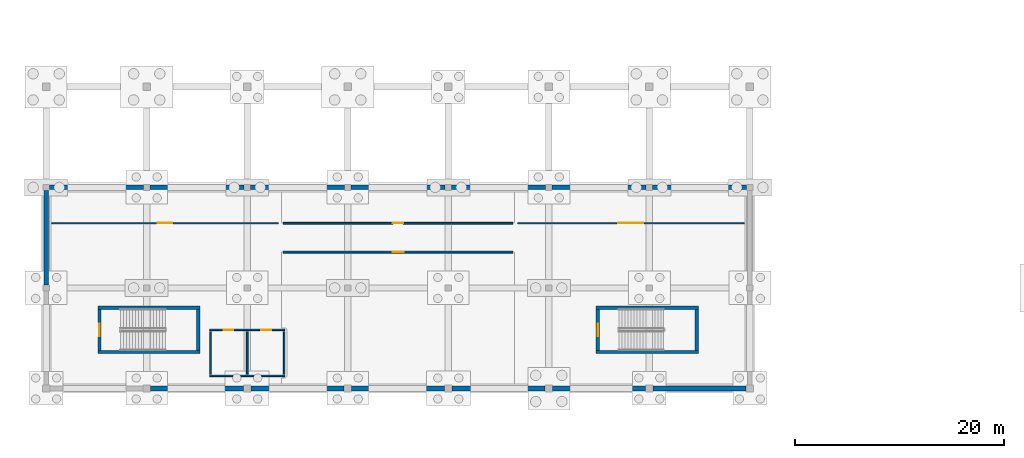
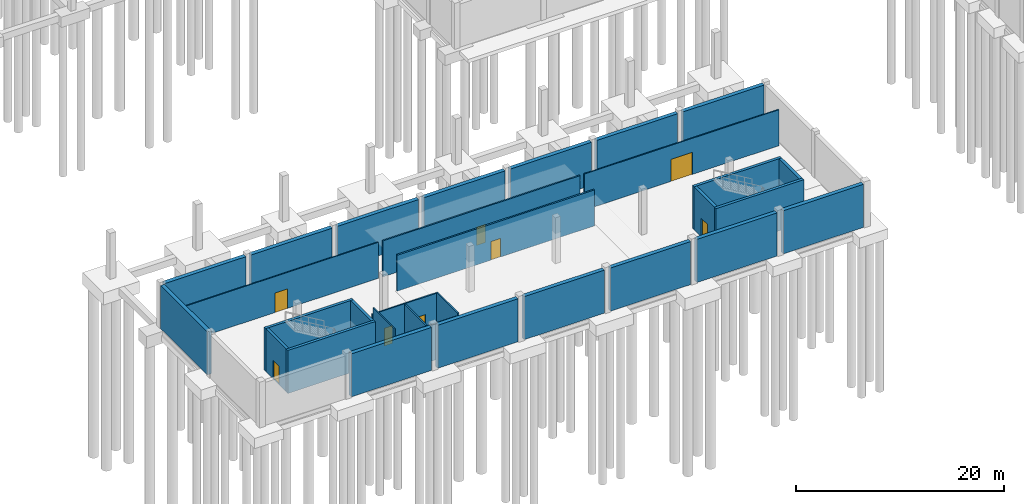
# One storey, part 22 of 41: 31 walls, 8 doors, 8 openings.
"""IFC4 building model written with IfcOpenShell, lengths in metres."""

from ifc_helpers import new_model, si_unit, direction, frame, frame_2d, origin, place, context, subcontext, project, spatial, rectangle, extrude, material, layer, layer_set, type_object, element, fill, save


model = new_model("IFC4")

# Units and contexts
model_context = context("Model", 3, precision=1e-05, world=origin(), true_north=direction((0.0, 1.0)))
body_context = subcontext(model_context, "Body", "Model", "MODEL_VIEW")
ifc_project = project(units=[si_unit("LENGTHUNIT", "METRE"), si_unit("AREAUNIT", "SQUARE_METRE"), si_unit("VOLUMEUNIT", "CUBIC_METRE"), si_unit("PLANEANGLEUNIT", "RADIAN"), si_unit("MASSUNIT", "GRAM", prefix="KILO")], contexts=[model_context])

# Site, building, storey
site_placement = place(None, origin())
site = spatial("IfcSite", under=ifc_project, at=site_placement, CompositionType="ELEMENT")
building_placement = place(site_placement, origin())
building = spatial("IfcBuilding", under=site, at=building_placement, Name="Shalvenor Court Art Gallery", CompositionType="ELEMENT")
storey_placement = place(building_placement, frame((0.0, 0.0, -5.39990234375)))
storey = spatial("IfcBuildingStorey", under=building, at=storey_placement, Name="B01", CompositionType="ELEMENT", Elevation=-5.39990234375)

# Walls
ifc_material_1 = material(Name="Concrete C40/50", Category="concrete")
ifc_layer_1 = layer(ifc_material_1, 0.31005859375, Name="Concrete C40/50")
ifc_layer_set_1 = layer_set([ifc_layer_1], Name="Concrete C40/50")
wall_type_1 = type_object("IfcWallType", Name="CW-W2", PredefinedType="SHEAR", material=ifc_layer_set_1)
wall_1_placement = place(storey_placement, frame((4.927978515625, 7.717041015625, 0.0), z_axis=(0.0, 0.0, 1.0), x_axis=(1.0, 0.0, 0.0)))
element("IfcWall", 1, at=wall_1_placement, inside=storey, type_object=wall_type_1, Name="B01 C7 Stair Core Shear Wall N", PredefinedType="SHEAR", context=body_context, shape_type="SweptSolid", body=[
    extrude(rectangle(XDim=9.744140625, YDim=0.31005859375, at=frame_2d((4.8720703125, 0.0))), origin(), (0.0, 0.0, 1.0), 5.059814453125),
])
wall_2_placement = place(storey_placement, frame((14.51708984375, 7.56201171875, 0.0), z_axis=(0.0, 0.0, 1.0), x_axis=(0.0, -1.0, 0.0)))
element("IfcWall", 2, at=wall_2_placement, inside=storey, type_object=wall_type_1, Name="B01 C7 Stair Core Shear Wall E", PredefinedType="SHEAR", context=body_context, shape_type="SweptSolid", body=[
    extrude(rectangle(XDim=3.924072265625, YDim=0.31005859375, at=frame_2d((1.9619140625, 0.0))), origin(), (0.0, 0.0, 1.0), 5.059814453125),
])
wall_3_placement = place(storey_placement, frame((14.672119140625, 3.48291015625, 0.0), z_axis=(0.0, 0.0, 1.0), x_axis=(-1.0, 0.0, 0.0)))
element("IfcWall", 3, at=wall_3_placement, inside=storey, type_object=wall_type_1, Name="B01 C7 Stair Core Shear Wall S", PredefinedType="SHEAR", context=body_context, shape_type="SweptSolid", body=[
    extrude(rectangle(XDim=9.744140625, YDim=0.31005859375, at=frame_2d((4.8720703125, 0.0))), origin(), (0.0, 0.0, 1.0), 5.059814453125),
])

# Wall, opening, door
wall_4_placement = place(storey_placement, frame((5.0830078125, 3.637939453125, 0.0), z_axis=(0.0, 0.0, 1.0), x_axis=(0.0, 1.0, 0.0)))
wall_4 = element("IfcWall", 4, at=wall_4_placement, inside=storey, type_object=wall_type_1, Name="B01 C7 Stair Core Shear Wall W", PredefinedType="SHEAR", context=body_context, shape_type="SweptSolid", body=[
    extrude(rectangle(XDim=3.924072265625, YDim=0.31005859375, at=frame_2d((1.9619140625, 0.0))), origin(), (0.0, 0.0, 1.0), 5.059814453125),
])
opening_1_placement = place(wall_4_placement, frame((1.362060546875, 0.0, 0.0)))
opening_1 = element("IfcOpeningElement", 5, at=opening_1_placement, cuts=wall_4, Name="Opening FD-01", PredefinedType="OPENING", context=body_context, shape_type="SweptSolid", body=[
    extrude(rectangle(XDim=1.199951171875, YDim=2.199951171875, at=frame_2d((0.60009765625, 1.10009765625))), frame((0.0, 0.1650390625, 0.0), z_axis=(0.0, -1.0, 0.0), x_axis=(1.0, 0.0, 0.0)), (0.0, 0.0, 1.0), 0.330078125),
])
ifc_material_2 = material(Name="Fire-rated steel stair doorset", Category="steel")
door_type_1 = type_object("IfcDoorType", Name="FD-01", OperationType="NOTDEFINED", PredefinedType="DOOR", material=ifc_material_2)
door_1_placement = place(opening_1_placement, origin())
door_1 = element("IfcDoor", 6, at=door_1_placement, inside=storey, type_object=door_type_1, Name="DR-ST-B01-C7 B01 ST-07 Fire Stair Door", OperationType="SINGLE_SWING_RIGHT", OverallHeight=2.199951171875, OverallWidth=1.199951171875, PredefinedType="DOOR", context=body_context, shape_type="SweptSolid", body=[
    extrude(rectangle(XDim=1.199951171875, YDim=2.199951171875, at=frame_2d((0.60009765625, 1.10009765625))), frame((0.0, 0.02490234375, 0.0), z_axis=(0.0, -1.0, 0.0), x_axis=(1.0, 0.0, 0.0)), (0.0, 0.0, 1.0), 0.050048828125),
])
fill(opening_1, door_1)

# Walls
wall_5_placement = place(storey_placement, frame((52.528076171875, 7.717041015625, 0.0), z_axis=(0.0, 0.0, 1.0), x_axis=(1.0, 0.0, 0.0)))
element("IfcWall", 7, at=wall_5_placement, inside=storey, type_object=wall_type_1, Name="B01 C8 Stair Core Shear Wall N", PredefinedType="SHEAR", context=body_context, shape_type="SweptSolid", body=[
    extrude(rectangle(XDim=9.743896484375, YDim=0.31005859375, at=frame_2d((4.8720703125, 0.0))), origin(), (0.0, 0.0, 1.0), 5.059814453125),
])
wall_6_placement = place(storey_placement, frame((62.116943359375, 7.56201171875, 0.0), z_axis=(0.0, 0.0, 1.0), x_axis=(0.0, -1.0, 0.0)))
element("IfcWall", 8, at=wall_6_placement, inside=storey, type_object=wall_type_1, Name="B01 C8 Stair Core Shear Wall E", PredefinedType="SHEAR", context=body_context, shape_type="SweptSolid", body=[
    extrude(rectangle(XDim=3.924072265625, YDim=0.31005859375, at=frame_2d((1.9619140625, 0.0))), origin(), (0.0, 0.0, 1.0), 5.059814453125),
])
wall_7_placement = place(storey_placement, frame((62.27197265625, 3.48291015625, 0.0), z_axis=(0.0, 0.0, 1.0), x_axis=(-1.0, 0.0, 0.0)))
element("IfcWall", 9, at=wall_7_placement, inside=storey, type_object=wall_type_1, Name="B01 C8 Stair Core Shear Wall S", PredefinedType="SHEAR", context=body_context, shape_type="SweptSolid", body=[
    extrude(rectangle(XDim=9.743896484375, YDim=0.31005859375, at=frame_2d((4.8720703125, 0.0))), origin(), (0.0, 0.0, 1.0), 5.059814453125),
])

# Wall, opening, door
wall_8_placement = place(storey_placement, frame((52.68310546875, 3.637939453125, 0.0), z_axis=(0.0, 0.0, 1.0), x_axis=(0.0, 1.0, 0.0)))
wall_8 = element("IfcWall", 10, at=wall_8_placement, inside=storey, type_object=wall_type_1, Name="B01 C8 Stair Core Shear Wall W", PredefinedType="SHEAR", context=body_context, shape_type="SweptSolid", body=[
    extrude(rectangle(XDim=3.924072265625, YDim=0.31005859375, at=frame_2d((1.9619140625, 0.0))), origin(), (0.0, 0.0, 1.0), 5.059814453125),
])
opening_2_placement = place(wall_8_placement, frame((1.362060546875, 0.0, 0.0)))
opening_2 = element("IfcOpeningElement", 11, at=opening_2_placement, cuts=wall_8, Name="Opening FD-01", PredefinedType="OPENING", context=body_context, shape_type="SweptSolid", body=[
    extrude(rectangle(XDim=1.199951171875, YDim=2.199951171875, at=frame_2d((0.60009765625, 1.10009765625))), frame((0.0, 0.1650390625, 0.0), z_axis=(0.0, -1.0, 0.0), x_axis=(1.0, 0.0, 0.0)), (0.0, 0.0, 1.0), 0.330078125),
])
door_2_placement = place(opening_2_placement, origin())
door_2 = element("IfcDoor", 12, at=door_2_placement, inside=storey, type_object=door_type_1, Name="DR-ST-B01-C8 B01 ST-08 Fire Stair Door", OperationType="SINGLE_SWING_RIGHT", OverallHeight=2.199951171875, OverallWidth=1.199951171875, PredefinedType="DOOR", context=body_context, shape_type="SweptSolid", body=[
    extrude(rectangle(XDim=1.199951171875, YDim=2.199951171875, at=frame_2d((0.60009765625, 1.10009765625))), frame((0.0, 0.02490234375, 0.0), z_axis=(0.0, -1.0, 0.0), x_axis=(1.0, 0.0, 0.0)), (0.0, 0.0, 1.0), 0.050048828125),
])
fill(opening_2, door_2)

ifc_material_3 = material(Name="Plywood-backed acoustic art-hanging partition", Category="wood")
ifc_layer_2 = layer(ifc_material_3, 0.179931640625, Name="Plywood-backed acoustic art-hanging partition")
ifc_layer_set_2 = layer_set([ifc_layer_2], Name="Plywood-backed acoustic art-hanging partition")
wall_type_2 = type_object("IfcWallType", Name="PT-01", PredefinedType="PARTITIONING", material=ifc_layer_set_2)
wall_9_placement = place(storey_placement, frame((22.6298828125, 13.02001953125, 0.0), z_axis=(0.0, 0.0, 1.0), x_axis=(1.0, 0.0, 0.0)))
wall_9 = element("IfcWall", 13, at=wall_9_placement, inside=storey, type_object=wall_type_2, Name="B01 Auditorium Projection And Audio Suite Partition 585", PredefinedType="PARTITIONING", context=body_context, shape_type="SweptSolid", body=[
    extrude(rectangle(XDim=21.940185546875, YDim=0.179931640625, at=frame_2d((10.97021484375, 0.0))), origin(), (0.0, 0.0, 1.0), 4.23486328125),
])
opening_3_placement = place(wall_9_placement, frame((10.445068359375, 0.0, 0.0)))
opening_3 = element("IfcOpeningElement", 14, at=opening_3_placement, cuts=wall_9, Name="Opening ID-04", PredefinedType="OPENING", context=body_context, shape_type="SweptSolid", body=[
    extrude(rectangle(XDim=1.050048828125, YDim=2.199951171875, at=frame_2d((0.52490234375, 1.10009765625))), frame((0.0, 0.099853515625, 0.0), z_axis=(0.0, -1.0, 0.0), x_axis=(1.0, 0.0, 0.0)), (0.0, 0.0, 1.0), 0.199951171875),
])
ifc_material_4 = material(Name="Oak-veneered accessible room doorset", Category="wood")
door_type_2 = type_object("IfcDoorType", Name="ID-04", OperationType="NOTDEFINED", PredefinedType="DOOR", material=ifc_material_4)
door_3_placement = place(opening_3_placement, origin())
door_3 = element("IfcDoor", 15, at=door_3_placement, inside=storey, type_object=door_type_2, Name="DR-RM-B01-0116 B01 Auditorium Projection And Audio Suite Door", OperationType="SINGLE_SWING_RIGHT", OverallHeight=2.199951171875, OverallWidth=1.050048828125, PredefinedType="DOOR", context=body_context, shape_type="SweptSolid", body=[
    extrude(rectangle(XDim=1.050048828125, YDim=2.199951171875, at=frame_2d((0.52490234375, 1.10009765625))), frame((0.0, 0.02490234375, 0.0), z_axis=(0.0, -1.0, 0.0), x_axis=(1.0, 0.0, 0.0)), (0.0, 0.0, 1.0), 0.050048828125),
])
fill(opening_3, door_3)

ifc_material_5 = material(Name="Double-stud acoustic gallery partition", Category="other")
ifc_layer_3 = layer(ifc_material_5, 0.1650390625, Name="Double-stud acoustic gallery partition")
ifc_layer_set_3 = layer_set([ifc_layer_3], Name="Double-stud acoustic gallery partition")
wall_type_3 = type_object("IfcWallType", Name="PT-02", PredefinedType="PARTITIONING", material=ifc_layer_set_3)
wall_10_placement = place(storey_placement, frame((44.570068359375, 15.780029296875, 0.0), z_axis=(0.0, 0.0, 1.0), x_axis=(-1.0, 0.0, 0.0)))
wall_10 = element("IfcWall", 16, at=wall_10_placement, inside=storey, type_object=wall_type_3, Name="B01 Auditorium Projection And Audio Suite Wing B Partition 586", PredefinedType="PARTITIONING", context=body_context, shape_type="SweptSolid", body=[
    extrude(rectangle(XDim=21.940185546875, YDim=0.1650390625, at=frame_2d((10.97021484375, 0.0))), origin(), (0.0, 0.0, 1.0), 4.23486328125),
])
opening_4_placement = place(wall_10_placement, frame((10.469970703125, 0.0, 0.0)))
opening_4 = element("IfcOpeningElement", 17, at=opening_4_placement, cuts=wall_10, Name="Opening ID-05", PredefinedType="OPENING", context=body_context, shape_type="SweptSolid", body=[
    extrude(rectangle(XDim=1.0, YDim=2.14990234375, at=frame_2d((0.5, 1.074951171875))), frame((0.0, 0.092529296875, 0.0), z_axis=(0.0, -1.0, 0.0), x_axis=(1.0, 0.0, 0.0)), (0.0, 0.0, 1.0), 0.18505859375),
])
ifc_material_6 = material(Name="Timber office single doorset", Category="wood")
door_type_3 = type_object("IfcDoorType", Name="ID-05", OperationType="NOTDEFINED", PredefinedType="DOOR", material=ifc_material_6)
door_4_placement = place(opening_4_placement, origin())
door_4 = element("IfcDoor", 18, at=door_4_placement, inside=storey, type_object=door_type_3, Name="DR-RM-B01-0117 B01 Auditorium Projection And Audio Suite Wing B Door", OperationType="SINGLE_SWING_LEFT", OverallHeight=2.14990234375, OverallWidth=1.0, PredefinedType="DOOR", context=body_context, shape_type="SweptSolid", body=[
    extrude(rectangle(XDim=1.0, YDim=2.14990234375, at=frame_2d((0.5, 1.074951171875))), frame((0.0, 0.02490234375, 0.0), z_axis=(0.0, -1.0, 0.0), x_axis=(1.0, 0.0, 0.0)), (0.0, 0.0, 1.0), 0.050048828125),
])
fill(opening_4, door_4)

# Wall, openings, doors
ifc_material_7 = material(Name="Moisture-resistant sanitary partition", Category="other")
ifc_layer_4 = layer(ifc_material_7, 0.14990234375, Name="Moisture-resistant sanitary partition")
ifc_layer_set_4 = layer_set([ifc_layer_4], Name="Moisture-resistant sanitary partition")
wall_type_4 = type_object("IfcWallType", Name="PT-03", PredefinedType="PARTITIONING", material=ifc_layer_set_4)
wall_11_placement = place(storey_placement, frame((15.60009765625, 5.60009765625, 0.0), z_axis=(0.0, 0.0, 1.0), x_axis=(1.0, 0.0, 0.0)))
wall_11 = element("IfcWall", 19, at=wall_11_placement, inside=storey, type_object=wall_type_4, Name="B01 C7 Restroom Front Partition", PredefinedType="PARTITIONING", context=body_context, shape_type="SweptSolid", body=[
    extrude(rectangle(XDim=7.199951171875, YDim=0.14990234375, at=frame_2d((3.60009765625, 0.0))), origin(), (0.0, 0.0, 1.0), 4.23486328125),
])
opening_5_placement = place(wall_11_placement, frame((1.35009765625, 0.0, 0.0)))
opening_5 = element("IfcOpeningElement", 20, at=opening_5_placement, cuts=wall_11, Name="Opening ID-07", PredefinedType="OPENING", context=body_context, shape_type="SweptSolid", body=[
    extrude(rectangle(XDim=0.89990234375, YDim=2.10009765625, at=frame_2d((0.449951171875, 1.050048828125))), frame((0.0, 0.0849609375, 0.0), z_axis=(0.0, -1.0, 0.0), x_axis=(1.0, 0.0, 0.0)), (0.0, 0.0, 1.0), 0.169921875),
])
opening_6_placement = place(wall_11_placement, frame((4.925048828125, 0.0, 0.0)))
opening_6 = element("IfcOpeningElement", 21, at=opening_6_placement, cuts=wall_11, Name="Opening ID-06", PredefinedType="OPENING", context=body_context, shape_type="SweptSolid", body=[
    extrude(rectangle(XDim=0.949951171875, YDim=2.14990234375, at=frame_2d((0.47509765625, 1.074951171875))), frame((0.0, 0.0849609375, 0.0), z_axis=(0.0, -1.0, 0.0), x_axis=(1.0, 0.0, 0.0)), (0.0, 0.0, 1.0), 0.169921875),
])
ifc_material_8 = material(Name="Accessible restroom doorset", Category="steel")
door_type_4 = type_object("IfcDoorType", Name="ID-06", OperationType="NOTDEFINED", PredefinedType="DOOR", material=ifc_material_8)
door_5_placement = place(opening_6_placement, origin())
door_5 = element("IfcDoor", 22, at=door_5_placement, inside=storey, type_object=door_type_4, Name="DR-AWC-B01-C7-2 B01 C7 Accessible Restroom Door", OperationType="SINGLE_SWING_RIGHT", OverallHeight=2.14990234375, OverallWidth=0.949951171875, PredefinedType="DOOR", context=body_context, shape_type="SweptSolid", body=[
    extrude(rectangle(XDim=0.949951171875, YDim=2.14990234375, at=frame_2d((0.47509765625, 1.074951171875))), frame((0.0, 0.02490234375, 0.0), z_axis=(0.0, -1.0, 0.0), x_axis=(1.0, 0.0, 0.0)), (0.0, 0.0, 1.0), 0.050048828125),
])
fill(opening_6, door_5)
ifc_material_9 = material(Name="Restroom timber doorset", Category="wood")
door_type_5 = type_object("IfcDoorType", Name="ID-07", OperationType="NOTDEFINED", PredefinedType="DOOR", material=ifc_material_9)
door_6_placement = place(opening_5_placement, origin())
door_6 = element("IfcDoor", 23, at=door_6_placement, inside=storey, type_object=door_type_5, Name="DR-WC-B01-C7-1 B01 C7 Public Restroom Door", OperationType="SINGLE_SWING_LEFT", OverallHeight=2.10009765625, OverallWidth=0.89990234375, PredefinedType="DOOR", context=body_context, shape_type="SweptSolid", body=[
    extrude(rectangle(XDim=0.89990234375, YDim=2.10009765625, at=frame_2d((0.449951171875, 1.050048828125))), frame((0.0, 0.02490234375, 0.0), z_axis=(0.0, -1.0, 0.0), x_axis=(1.0, 0.0, 0.0)), (0.0, 0.0, 1.0), 0.050048828125),
])
fill(opening_5, door_6)

# Walls
wall_12_placement = place(storey_placement, frame((15.60009765625, 1.199951171875, 0.0), z_axis=(0.0, 0.0, 1.0), x_axis=(1.0, 0.0, 0.0)))
element("IfcWall", 24, at=wall_12_placement, inside=storey, type_object=wall_type_4, Name="B01 C7 Restroom Back Partition", PredefinedType="PARTITIONING", context=body_context, shape_type="SweptSolid", body=[
    extrude(rectangle(XDim=7.199951171875, YDim=0.14990234375, at=frame_2d((3.60009765625, 0.0))), origin(), (0.0, 0.0, 1.0), 4.23486328125),
])
wall_13_placement = place(storey_placement, frame((15.675048828125, 1.360107421875, 0.0), z_axis=(0.0, 0.0, 1.0), x_axis=(0.0, 1.0, 0.0)))
element("IfcWall", 25, at=wall_13_placement, inside=storey, type_object=wall_type_4, Name="B01 C7 Restroom Partition L", PredefinedType="PARTITIONING", context=body_context, shape_type="SweptSolid", body=[
    extrude(rectangle(XDim=4.079833984375, YDim=0.14990234375, at=frame_2d((2.0400390625, 0.0))), origin(), (0.0, 0.0, 1.0), 5.059814453125),
])
wall_14_placement = place(storey_placement, frame((19.199951171875, 1.360107421875, 0.0), z_axis=(0.0, 0.0, 1.0), x_axis=(0.0, 1.0, 0.0)))
element("IfcWall", 26, at=wall_14_placement, inside=storey, type_object=wall_type_4, Name="B01 C7 Restroom Partition M", PredefinedType="PARTITIONING", context=body_context, shape_type="SweptSolid", body=[
    extrude(rectangle(XDim=4.079833984375, YDim=0.14990234375, at=frame_2d((2.0400390625, 0.0))), origin(), (0.0, 0.0, 1.0), 4.23486328125),
])
wall_15_placement = place(storey_placement, frame((22.72509765625, 1.360107421875, 0.0), z_axis=(0.0, 0.0, 1.0), x_axis=(0.0, 1.0, 0.0)))
element("IfcWall", 27, at=wall_15_placement, inside=storey, type_object=wall_type_4, Name="B01 C7 Restroom Partition R", PredefinedType="PARTITIONING", context=body_context, shape_type="SweptSolid", body=[
    extrude(rectangle(XDim=4.079833984375, YDim=0.14990234375, at=frame_2d((2.0400390625, 0.0))), origin(), (0.0, 0.0, 1.0), 4.434814453125),
])

# Wall, opening, door
ifc_material_10 = material(Name="Insulated studio acoustic partition", Category="other")
ifc_layer_5 = layer(ifc_material_10, 0.135009765625, Name="Insulated studio acoustic partition")
ifc_layer_set_5 = layer_set([ifc_layer_5], Name="Insulated studio acoustic partition")
wall_type_5 = type_object("IfcWallType", Name="PT-04", PredefinedType="PARTITIONING", material=ifc_layer_set_5)
wall_16_placement = place(storey_placement, frame((66.64990234375, 15.780029296875, 0.0), z_axis=(0.0, 0.0, 1.0), x_axis=(-1.0, 0.0, 0.0)))
wall_16 = element("IfcWall", 28, at=wall_16_placement, inside=storey, type_object=wall_type_5, Name="B01 Backstage Green Room Partition 587", PredefinedType="PARTITIONING", context=body_context, shape_type="SweptSolid", body=[
    extrude(rectangle(XDim=21.619873046875, YDim=0.135009765625, at=frame_2d((10.81005859375, 0.0))), origin(), (0.0, 0.0, 1.0), 4.23486328125),
])
opening_7_placement = place(wall_16_placement, frame((9.610107421875, 0.0, 0.0)))
opening_7 = element("IfcOpeningElement", 29, at=opening_7_placement, cuts=wall_16, Name="Opening ID-08", PredefinedType="OPENING", context=body_context, shape_type="SweptSolid", body=[
    extrude(rectangle(XDim=2.39990234375, YDim=2.60009765625, at=frame_2d((1.199951171875, 1.300048828125))), frame((0.0, 0.077392578125, 0.0), z_axis=(0.0, -1.0, 0.0), x_axis=(1.0, 0.0, 0.0)), (0.0, 0.0, 1.0), 0.155029296875),
])
ifc_material_11 = material(Name="Oversized crate gallery portal double doorset", Category="steel")
door_type_6 = type_object("IfcDoorType", Name="ID-08", OperationType="NOTDEFINED", PredefinedType="DOOR", material=ifc_material_11)
door_7_placement = place(opening_7_placement, origin())
door_7 = element("IfcDoor", 30, at=door_7_placement, inside=storey, type_object=door_type_6, Name="DR-RM-B01-0118 B01 Backstage Green Room Door", OperationType="DOUBLE_DOOR_SINGLE_SWING", OverallHeight=2.60009765625, OverallWidth=2.39990234375, PredefinedType="DOOR", context=body_context, shape_type="SweptSolid", body=[
    extrude(rectangle(XDim=2.39990234375, YDim=2.60009765625, at=frame_2d((1.199951171875, 1.300048828125))), frame((0.0, 0.02490234375, 0.0), z_axis=(0.0, -1.0, 0.0), x_axis=(1.0, 0.0, 0.0)), (0.0, 0.0, 1.0), 0.050048828125),
])
fill(opening_7, door_7)

ifc_material_12 = material(Name="Lightweight office gypsum partition", Category="other")
ifc_layer_6 = layer(ifc_material_12, 0.1201171875, Name="Lightweight office gypsum partition")
ifc_layer_set_6 = layer_set([ifc_layer_6], Name="Lightweight office gypsum partition")
wall_type_6 = type_object("IfcWallType", Name="PT-05", PredefinedType="PARTITIONING", material=ifc_layer_set_6)
wall_17_placement = place(storey_placement, frame((22.169921875, 15.780029296875, 0.0), z_axis=(0.0, 0.0, 1.0), x_axis=(-1.0, 0.0, 0.0)))
wall_17 = element("IfcWall", 31, at=wall_17_placement, inside=storey, type_object=wall_type_6, Name="B01 Museum Auditorium Lower Bowl Partition 584", PredefinedType="PARTITIONING", context=body_context, shape_type="SweptSolid", body=[
    extrude(rectangle(XDim=21.619873046875, YDim=0.1201171875, at=frame_2d((10.81005859375, 0.0))), origin(), (0.0, 0.0, 1.0), 4.23486328125),
])
opening_8_placement = place(wall_17_placement, frame((10.110107421875, 0.0, 0.0)))
opening_8 = element("IfcOpeningElement", 32, at=opening_8_placement, cuts=wall_17, Name="Opening ID-03", PredefinedType="OPENING", context=body_context, shape_type="SweptSolid", body=[
    extrude(rectangle(XDim=1.39990234375, YDim=2.300048828125, at=frame_2d((0.699951171875, 1.14990234375))), frame((0.0, 0.070068359375, 0.0), z_axis=(0.0, -1.0, 0.0), x_axis=(1.0, 0.0, 0.0)), (0.0, 0.0, 1.0), 0.14013671875),
])
ifc_material_13 = material(Name="Timber studio double leaf doorset", Category="wood")
door_type_7 = type_object("IfcDoorType", Name="ID-03", OperationType="NOTDEFINED", PredefinedType="DOOR", material=ifc_material_13)
door_8_placement = place(opening_8_placement, origin())
door_8 = element("IfcDoor", 33, at=door_8_placement, inside=storey, type_object=door_type_7, Name="DR-RM-B01-0115 B01 Museum Auditorium Lower Bowl Door", OperationType="DOUBLE_DOOR_SINGLE_SWING", OverallHeight=2.300048828125, OverallWidth=1.39990234375, PredefinedType="DOOR", context=body_context, shape_type="SweptSolid", body=[
    extrude(rectangle(XDim=1.39990234375, YDim=2.300048828125, at=frame_2d((0.699951171875, 1.14990234375))), frame((0.0, 0.02490234375, 0.0), z_axis=(0.0, -1.0, 0.0), x_axis=(1.0, 0.0, 0.0)), (0.0, 0.0, 1.0), 0.050048828125),
])
fill(opening_8, door_8)

# Walls
ifc_material_14 = material(Name="Concrete C40/50", Category="concrete")
ifc_layer_7 = layer(ifc_material_14, 0.43994140625, Name="Concrete C40/50")
ifc_layer_set_7 = layer_set([ifc_layer_7], Name="Concrete C40/50")
wall_type_7 = type_object("IfcWallType", Name="RW-02", PredefinedType="USERDEFINED", material=ifc_layer_set_7)
for number, where, z_axis, x_axis, name in (
    (34, (0.300048828125, 19.199951171875, 0.0), (0.0, 0.0, 1.0), (1.0, 0.0, 0.0), "B01 Retaining Wall WL-B01-0221"),
    (35, (9.89990234375, 19.199951171875, 0.0), (0.0, 0.0, 1.0), (1.0, 0.0, 0.0), "B01 Retaining Wall WL-B01-0222"),
    (36, (19.5, 19.199951171875, 0.0), (0.0, 0.0, 1.0), (1.0, 0.0, 0.0), "B01 Retaining Wall WL-B01-0223"),
    (37, (29.10009765625, 19.199951171875, 0.0), (0.0, 0.0, 1.0), (1.0, 0.0, 0.0), "B01 Retaining Wall WL-B01-0224"),
    (38, (38.699951171875, 19.199951171875, 0.0), (0.0, 0.0, 1.0), (1.0, 0.0, 0.0), "B01 Retaining Wall WL-B01-0225"),
    (39, (48.300048828125, 19.199951171875, 0.0), (0.0, 0.0, 1.0), (1.0, 0.0, 0.0), "B01 Retaining Wall WL-B01-0226"),
    (40, (57.89990234375, 19.199951171875, 0.0), (0.0, 0.0, 1.0), (1.0, 0.0, 0.0), "B01 Retaining Wall WL-B01-0227"),
):
    element("IfcWall", number, at=place(storey_placement, frame(where, z_axis=z_axis, x_axis=x_axis)), inside=storey, type_object=wall_type_7, Name=name, ObjectType="RETAINING WALL", PredefinedType="USERDEFINED", context=body_context, shape_type="SweptSolid", body=[
        extrude(rectangle(XDim=9.0, YDim=0.43994140625, at=frame_2d((4.5, 0.0))), origin(), (0.0, 0.0, 1.0), 5.059814453125),
    ])
wall_18_placement = place(storey_placement, frame((66.85009765625, 0.0, 0.0), z_axis=(0.0, 0.0, 1.0), x_axis=(-1.0, 0.0, 0.0)))
element("IfcWall", 41, at=wall_18_placement, inside=storey, type_object=wall_type_7, Name="B01 Retaining Wall WL-B01-0230", ObjectType="RETAINING WALL", PredefinedType="USERDEFINED", context=body_context, shape_type="SweptSolid", body=[
    extrude(rectangle(XDim=8.900146484375, YDim=0.43994140625, at=frame_2d((4.4501953125, 0.0))), origin(), (0.0, 0.0, 1.0), 5.059814453125),
])
for number, where, z_axis, x_axis, name in (
    (42, (57.25, 0.0, 0.0), (0.0, 0.0, 1.0), (-1.0, 0.0, 0.0), "B01 Retaining Wall WL-B01-0231"),
    (43, (47.64990234375, 0.0, 0.0), (0.0, 0.0, 1.0), (-1.0, 0.0, 0.0), "B01 Retaining Wall WL-B01-0232"),
):
    element("IfcWall", number, at=place(storey_placement, frame(where, z_axis=z_axis, x_axis=x_axis)), inside=storey, type_object=wall_type_7, Name=name, ObjectType="RETAINING WALL", PredefinedType="USERDEFINED", context=body_context, shape_type="SweptSolid", body=[
        extrude(rectangle(XDim=8.89990234375, YDim=0.43994140625, at=frame_2d((4.449951171875, 0.0))), origin(), (0.0, 0.0, 1.0), 5.059814453125),
    ])
wall_19_placement = place(storey_placement, frame((38.050048828125, 0.0, 0.0), z_axis=(0.0, 0.0, 1.0), x_axis=(-1.0, 0.0, 0.0)))
element("IfcWall", 44, at=wall_19_placement, inside=storey, type_object=wall_type_7, Name="B01 Retaining Wall WL-B01-0233", ObjectType="RETAINING WALL", PredefinedType="USERDEFINED", context=body_context, shape_type="SweptSolid", body=[
    extrude(rectangle(XDim=8.900146484375, YDim=0.43994140625, at=frame_2d((4.4501953125, 0.0))), origin(), (0.0, 0.0, 1.0), 5.059814453125),
])
wall_20_placement = place(storey_placement, frame((28.449951171875, 0.0, 0.0), z_axis=(0.0, 0.0, 1.0), x_axis=(-1.0, 0.0, 0.0)))
element("IfcWall", 45, at=wall_20_placement, inside=storey, type_object=wall_type_7, Name="B01 Retaining Wall WL-B01-0234", ObjectType="RETAINING WALL", PredefinedType="USERDEFINED", context=body_context, shape_type="SweptSolid", body=[
    extrude(rectangle(XDim=8.89990234375, YDim=0.43994140625, at=frame_2d((4.449951171875, 0.0))), origin(), (0.0, 0.0, 1.0), 5.059814453125),
])
wall_21_placement = place(storey_placement, frame((18.85009765625, 0.0, 0.0), z_axis=(0.0, 0.0, 1.0), x_axis=(-1.0, 0.0, 0.0)))
element("IfcWall", 46, at=wall_21_placement, inside=storey, type_object=wall_type_7, Name="B01 Retaining Wall WL-B01-0235", ObjectType="RETAINING WALL", PredefinedType="USERDEFINED", context=body_context, shape_type="SweptSolid", body=[
    extrude(rectangle(XDim=8.900146484375, YDim=0.43994140625, at=frame_2d((4.4501953125, 0.0))), origin(), (0.0, 0.0, 1.0), 5.059814453125),
])
wall_22_placement = place(storey_placement, frame((0.0, 9.89990234375, 0.0), z_axis=(0.0, 0.0, 1.0), x_axis=(0.0, 1.0, 0.0)))
element("IfcWall", 47, at=wall_22_placement, inside=storey, type_object=wall_type_7, Name="B01 Retaining Wall WL-B01-0238", ObjectType="RETAINING WALL", PredefinedType="USERDEFINED", context=body_context, shape_type="SweptSolid", body=[
    extrude(rectangle(XDim=9.0, YDim=0.43994140625, at=frame_2d((4.5, 0.0))), origin(), (0.0, 0.0, 1.0), 5.059814453125),
])

save(model, "model.ifc")
